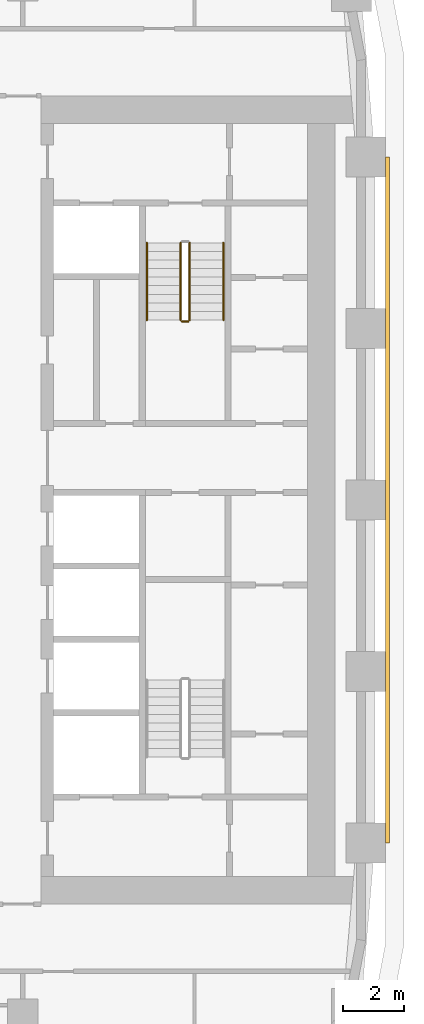
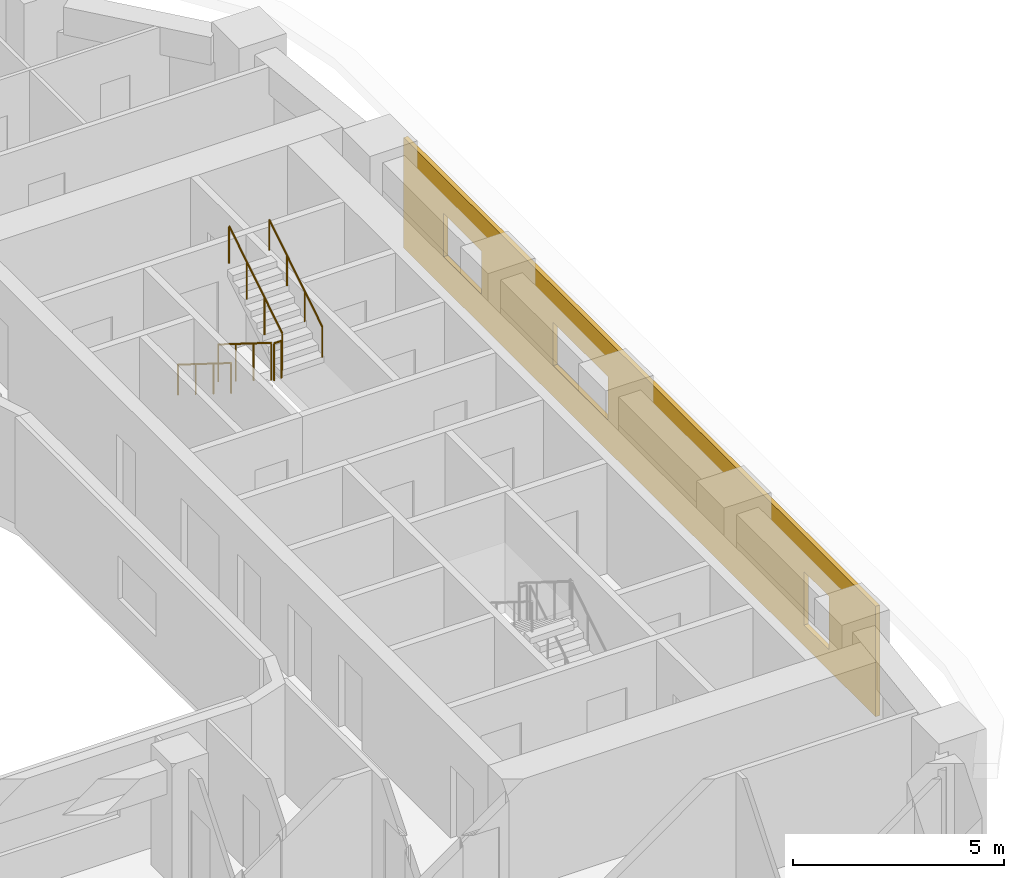
# One storey, part 20 of 23: 5 railings, 1 covering.
"""IFC4 building model written with IfcOpenShell, lengths in metres."""

import ifcopenshell
import ifcopenshell.guid

model = None  # the IFC model being written
_history = None  # IfcOwnerHistory: only IFC2X3 demands one
_inside = {}  # id of a spatial element -> (the spatial element, [elements in it])
_under = {}  # id of a project, library or spatial element -> (it, [spatial elements below it])
_declared = {}  # id of a project -> (the project, [libraries it declares])
_typed = {}  # id of a type object -> (the type object, [elements of that type])
_made_of = {}  # id of a material, layer set ... -> (it, [elements and type objects made of it])


def new_model(schema):
    """Start an empty IFC model of exactly this schema.

    Asked for "IFC4X3", IfcOpenShell would pick the latest addendum, in which some entities
    have other attributes; the version numbers below select the first issue.
    IFC2X3 requires an IfcOwnerHistory on every rooted entity: one is made here for all.
    """
    global model, _history
    if schema == "IFC4X3":
        model = ifcopenshell.file(schema_version=(4, 3, 0, 0))
    else:
        model = ifcopenshell.file(schema=schema)
    _inside.clear()
    _under.clear()
    _declared.clear()
    _typed.clear()
    _made_of.clear()
    _history = None
    if model.schema == "IFC2X3":
        org = make("IfcOrganization", Name="unknown")
        user = make(
            "IfcPersonAndOrganization",
            ThePerson=make("IfcPerson", FamilyName="unknown"),
            TheOrganization=org,
        )
        app = make(
            "IfcApplication",
            ApplicationDeveloper=org,
            Version="unknown",
            ApplicationFullName="unknown",
            ApplicationIdentifier="unknown",
        )
        _history = make(
            "IfcOwnerHistory",
            OwningUser=user,
            OwningApplication=app,
            ChangeAction="ADDED",
            CreationDate=0,
        )
    return model


def make(cls, **values):
    """One entity of the class cls with the attributes given. An attribute that is None is left unset."""
    return model.create_entity(
        cls, **{name: value for name, value in values.items() if value is not None}
    )


def rooted(cls, **values):
    """An entity with a GlobalId (a new one), such as an element, a storey or a relation."""
    return make(cls, GlobalId=ifcopenshell.guid.new(), OwnerHistory=_history, **values)


def si_unit(unit_type, name, prefix=None):
    """IfcSIUnit, for example si_unit("LENGTHUNIT", "METRE", prefix="MILLI")."""
    return make("IfcSIUnit", UnitType=unit_type, Prefix=prefix, Name=name)


def assignment(units):
    """IfcUnitAssignment: the units of a project."""
    return None if units is None else make("IfcUnitAssignment", Units=units)


def point(xyz):
    """IfcCartesianPoint."""
    return None if xyz is None else make("IfcCartesianPoint", Coordinates=xyz)


def direction(xyz):
    """IfcDirection."""
    return None if xyz is None else make("IfcDirection", DirectionRatios=xyz)


def frame(location, z_axis=None, x_axis=None):
    """IfcAxis2Placement3D, a coordinate frame: its origin and axes. An axis left out is left unset."""
    return make(
        "IfcAxis2Placement3D",
        Location=point(location),
        Axis=direction(z_axis),
        RefDirection=direction(x_axis),
    )


def frame_2d(location, x_axis=None):
    """IfcAxis2Placement2D, a coordinate frame in the plane: its origin and x axis."""
    return make(
        "IfcAxis2Placement2D", Location=point(location), RefDirection=direction(x_axis)
    )


def origin():
    """The frame at (0, 0, 0) with its axes left unset."""
    return frame((0.0, 0.0, 0.0))


def origin_2d():
    """The frame at (0, 0) in the plane with its x axis left unset."""
    return frame_2d((0.0, 0.0))


def place(relative_to, where):
    """IfcLocalPlacement: puts the frame where relative to a parent placement (None: the world)."""
    return make(
        "IfcLocalPlacement", PlacementRelTo=relative_to, RelativePlacement=where
    )


def context(
    kind, dimensions, precision=None, world=None, true_north=None, identifier=None
):
    """IfcGeometricRepresentationContext, for example the 3D "Model" context."""
    return make(
        "IfcGeometricRepresentationContext",
        ContextIdentifier=identifier,
        ContextType=kind,
        CoordinateSpaceDimension=dimensions,
        Precision=precision,
        WorldCoordinateSystem=world,
        TrueNorth=true_north,
    )


def subcontext(parent, identifier, kind, view, scale=None):
    """IfcGeometricRepresentationSubContext, for example "Body" below "Model"."""
    return make(
        "IfcGeometricRepresentationSubContext",
        ContextIdentifier=identifier,
        ContextType=kind,
        ParentContext=parent,
        TargetScale=scale,
        TargetView=view,
    )


def project(units=None, contexts=None):
    """IfcProject with its units and contexts."""
    return rooted(
        "IfcProject",
        Name="project",
        RepresentationContexts=contexts,
        UnitsInContext=assignment(units),
    )


def spatial(cls, under=None, at=None, **own):
    """A site, building, storey or space (cls), placed at a placement, below another one or the project."""
    s = rooted(cls, ObjectPlacement=at, **own)
    if under is not None:
        _under.setdefault(under.id(), (under, []))[1].append(s)
    return s


def polyline(points):
    """IfcPolyline through the points."""
    return make("IfcPolyline", Points=[point(p) for p in points])


def profile(cls, at=None, kind="AREA", **sizes):
    """A parametric profile (cls). Its sizes go by their IFC names, for example OverallWidth=200.0."""
    return make(cls, ProfileType=kind, Position=at, **sizes)


def circle(**sizes):
    """IfcCircleProfileDef."""
    return profile("IfcCircleProfileDef", **sizes)


def outline(outer, holes=None, kind="AREA"):
    """IfcArbitraryClosedProfileDef: a profile drawn as a closed curve; with holes, ...WithVoids."""
    if holes is None:
        return make("IfcArbitraryClosedProfileDef", ProfileType=kind, OuterCurve=outer)
    return make(
        "IfcArbitraryProfileDefWithVoids",
        ProfileType=kind,
        OuterCurve=outer,
        InnerCurves=holes,
    )


def extrude(swept, where, along, depth):
    """IfcExtrudedAreaSolid: the profile swept, set in the frame where, extruded along a direction by depth."""
    return make(
        "IfcExtrudedAreaSolid",
        SweptArea=swept,
        Position=where,
        ExtrudedDirection=direction(along),
        Depth=depth,
    )


def shape(context_of_items, identifier, shape_type, items):
    """IfcShapeRepresentation: the items that make up one representation, for example the "Body"."""
    return make(
        "IfcShapeRepresentation",
        ContextOfItems=context_of_items,
        RepresentationIdentifier=identifier,
        RepresentationType=shape_type,
        Items=items,
    )


def material(Name=None, Category=None):
    """IfcMaterial."""
    return make("IfcMaterial", Name=Name, Category=Category)


def layer(
    of_material, thickness, ventilated=None, Name=None, Category=None, Priority=None
):
    """IfcMaterialLayer: one layer of a wall or slab, of a material (None: an air gap)."""
    return make(
        "IfcMaterialLayer",
        Material=of_material,
        LayerThickness=thickness,
        IsVentilated=ventilated,
        Name=Name,
        Category=Category,
        Priority=Priority,
    )


def layer_set(layers, Name=None):
    """IfcMaterialLayerSet."""
    return make("IfcMaterialLayerSet", MaterialLayers=layers, LayerSetName=Name)


def made_of(thing, what):
    """Note that an element or type object is made of a material, layer set ...; save() writes the relation."""
    if what is not None:
        _made_of.setdefault(what.id(), (what, []))[1].append(thing)
    return thing


def type_object(cls, material=None, **own):
    """A type object (cls), such as IfcWallType, which elements share."""
    return made_of(rooted(cls, **own), material)


def element(
    cls,
    number,
    at=None,
    inside=None,
    cuts=None,
    type_object=None,
    material=None,
    context=None,
    identifier="Body",
    shape_type=None,
    held_by="IfcProductDefinitionShape",
    body=None,
    shapes=None,
    **own,
):
    """One element of the class cls, such as IfcWall. Its Tag is "e" and its number.

    at: its placement. inside: the storey or other place that contains it. cuts: it is an
    opening in that element (IfcRelVoidsElement). A single representation is given by context,
    identifier, shape_type and body (its items); several are given by shapes. held_by: the class
    of the entity that holds the representations. save() writes the other relations.
    """
    e = rooted(cls, Tag="e%d" % number, ObjectPlacement=at, **own)
    if body is not None:
        shapes = [shape(context, identifier, shape_type, body)]
    if shapes is not None:
        e.Representation = make(held_by, Representations=shapes)
    if inside is not None:
        _inside.setdefault(inside.id(), (inside, []))[1].append(e)
    if cuts is not None:
        rooted(
            "IfcRelVoidsElement", RelatingBuildingElement=cuts, RelatedOpeningElement=e
        )
    if type_object is not None:
        _typed.setdefault(type_object.id(), (type_object, []))[1].append(e)
    return made_of(e, material)


def aggregate(whole, parts):
    """IfcRelAggregates: a whole, such as a stair, and the parts it consists of."""
    return rooted("IfcRelAggregates", RelatingObject=whole, RelatedObjects=parts)


def save(model, path):
    """Write the relations noted so far, then the file.

    IfcRelAggregates (storeys below a building ...), IfcRelContainedInSpatialStructure (elements
    in a storey), IfcRelDefinesByType, IfcRelAssociatesMaterial and IfcRelDeclares: one each for
    every whole, place, type object, material and project.
    """
    for whole, parts in _under.values():
        aggregate(whole, parts)
    for where, things in _inside.values():
        rooted(
            "IfcRelContainedInSpatialStructure",
            RelatedElements=things,
            RelatingStructure=where,
        )
    for kind, things in _typed.values():
        rooted("IfcRelDefinesByType", RelatedObjects=things, RelatingType=kind)
    for what, things in _made_of.values():
        rooted("IfcRelAssociatesMaterial", RelatedObjects=things, RelatingMaterial=what)
    for by, libraries in _declared.values():
        rooted("IfcRelDeclares", RelatingContext=by, RelatedDefinitions=libraries)
    model.write(path)


model = new_model("IFC4")

# Units and contexts
model_context = context("Model", 3, precision=1e-05, world=origin(), true_north=direction((0.0, 1.0)))
body_context = subcontext(model_context, "Body", "Model", "MODEL_VIEW")
ifc_project = project(units=[si_unit("LENGTHUNIT", "METRE"), si_unit("AREAUNIT", "SQUARE_METRE"), si_unit("VOLUMEUNIT", "CUBIC_METRE"), si_unit("PLANEANGLEUNIT", "RADIAN"), si_unit("MASSUNIT", "GRAM", prefix="KILO")], contexts=[model_context])

# Site, building, storey
site_placement = place(None, origin())
site = spatial("IfcSite", under=ifc_project, at=site_placement, CompositionType="ELEMENT")
building_placement = place(site_placement, origin())
building = spatial("IfcBuilding", under=site, at=building_placement, Name="Kiln Ring Residences", CompositionType="ELEMENT")
storey_placement = place(building_placement, frame((0.0, 0.0, 86.800048828125)))
storey = spatial("IfcBuildingStorey", under=building, at=storey_placement, Name="L21", CompositionType="ELEMENT", Elevation=86.800048828125)

# Railings
ifc_material_1 = material(Name="Stainless steel", Category="steel")
railing_type_1 = type_object("IfcRailingType", Name="CORE-STAIR-GUARD", PredefinedType="GUARDRAIL", material=ifc_material_1)
railing_1_placement = place(storey_placement, frame((21.949951171875, 8.39990234375, 0.175048828125)))
element("IfcRailing", 1, at=railing_1_placement, inside=storey, type_object=railing_type_1, Name="L21 E-STN stair guard 1", PredefinedType="GUARDRAIL", context=body_context, shape_type="SweptSolid", body=[
    extrude(circle(Radius=0.02392578125, at=origin_2d()), frame((0.0, 0.0, 1.076171875), z_axis=(0.0, -0.848007534815, 0.529984170421), x_axis=(1.0, 0.0, 0.0)), (0.0, 0.0, 1.0), 2.9716796875),
    extrude(circle(Radius=0.02099609375, at=origin_2d()), origin(), (0.0, 0.0, 1.0), 1.052001953125),
    extrude(circle(Radius=0.02099609375, at=origin_2d()), frame((0.0, -0.840087890625, 0.52490234375)), (0.0, 0.0, 1.0), 1.052001953125),
    extrude(circle(Radius=0.02099609375, at=origin_2d()), frame((0.0, -1.679931640625, 1.050048828125)), (0.0, 0.0, 1.0), 1.052001953125),
    extrude(circle(Radius=0.02099609375, at=origin_2d()), frame((0.0, -2.52001953125, 1.574951171875)), (0.0, 0.0, 1.0), 1.052001953125),
])
railing_2_placement = place(storey_placement, frame((22.0, 5.830078125, 1.75)))
element("IfcRailing", 2, at=railing_2_placement, inside=storey, type_object=railing_type_1, Name="L21 E-STN stair guard 2", PredefinedType="GUARDRAIL", context=body_context, shape_type="SweptSolid", body=[
    extrude(circle(Radius=0.02392578125, at=origin_2d()), frame((0.0, 0.0, 1.076171875), z_axis=(1.0, 0.0, 0.0), x_axis=(0.0, 1.0, 0.0)), (0.0, 0.0, 1.0), 0.199951171875),
    extrude(circle(Radius=0.02099609375, at=origin_2d()), origin(), (0.0, 0.0, 1.0), 1.052001953125),
    extrude(circle(Radius=0.02099609375, at=origin_2d()), frame((0.199951171875, 0.0, 0.0)), (0.0, 0.0, 1.0), 1.052001953125),
])
railing_3_placement = place(storey_placement, frame((22.25, 5.8798828125, 1.925048828125)))
element("IfcRailing", 3, at=railing_3_placement, inside=storey, type_object=railing_type_1, Name="L21 E-STN stair guard 3", PredefinedType="GUARDRAIL", context=body_context, shape_type="SweptSolid", body=[
    extrude(circle(Radius=0.02392578125, at=origin_2d()), frame((0.0, 0.0, 1.076171875), z_axis=(0.0, 0.848007534815, 0.529984170421), x_axis=(-1.0, 0.0, 0.0)), (0.0, 0.0, 1.0), 2.9716796875),
    extrude(circle(Radius=0.02099609375, at=origin_2d()), origin(), (0.0, 0.0, 1.0), 1.052001953125),
    extrude(circle(Radius=0.02099609375, at=origin_2d()), frame((0.0, 0.840087890625, 0.52490234375)), (0.0, 0.0, 1.0), 1.052001953125),
    extrude(circle(Radius=0.02099609375, at=origin_2d()), frame((0.0, 1.679931640625, 1.050048828125)), (0.0, 0.0, 1.0), 1.052001953125),
    extrude(circle(Radius=0.02099609375, at=origin_2d()), frame((0.0, 2.52001953125, 1.574951171875)), (0.0, 0.0, 1.0), 1.052001953125),
])
ifc_material_2 = material(Name="Stainless steel", Category="steel")
railing_type_2 = type_object("IfcRailingType", Name="CORE-STAIR-HANDRAIL", PredefinedType="HANDRAIL", material=ifc_material_2)
railing_4_placement = place(storey_placement, frame((20.85009765625, 8.39990234375, 0.175048828125)))
element("IfcRailing", 4, at=railing_4_placement, inside=storey, type_object=railing_type_2, Name="L21 E-STN stair handrail 1", PredefinedType="HANDRAIL", context=body_context, shape_type="SweptSolid", body=[
    extrude(circle(Radius=0.02392578125, at=origin_2d()), frame((0.0, 0.0, 0.8759765625), z_axis=(0.0, -0.848007534815, 0.529984170421), x_axis=(1.0, 0.0, 0.0)), (0.0, 0.0, 1.0), 2.9716796875),
    extrude(circle(Radius=0.02099609375, at=origin_2d()), origin(), (0.0, 0.0, 1.0), 0.851806640625),
    extrude(circle(Radius=0.02099609375, at=origin_2d()), frame((0.0, -0.840087890625, 0.52490234375)), (0.0, 0.0, 1.0), 0.851806640625),
    extrude(circle(Radius=0.02099609375, at=origin_2d()), frame((0.0, -1.679931640625, 1.050048828125)), (0.0, 0.0, 1.0), 0.851806640625),
    extrude(circle(Radius=0.02099609375, at=origin_2d()), frame((0.0, -2.52001953125, 1.574951171875)), (0.0, 0.0, 1.0), 0.851806640625),
])
railing_5_placement = place(storey_placement, frame((23.35009765625, 5.8798828125, 1.925048828125)))
element("IfcRailing", 5, at=railing_5_placement, inside=storey, type_object=railing_type_2, Name="L21 E-STN stair handrail 2", PredefinedType="HANDRAIL", context=body_context, shape_type="SweptSolid", body=[
    extrude(circle(Radius=0.02392578125, at=origin_2d()), frame((0.0, 0.0, 0.8759765625), z_axis=(0.0, 0.848007534815, 0.529984170421), x_axis=(-1.0, 0.0, 0.0)), (0.0, 0.0, 1.0), 2.9716796875),
    extrude(circle(Radius=0.02099609375, at=origin_2d()), origin(), (0.0, 0.0, 1.0), 0.851806640625),
    extrude(circle(Radius=0.02099609375, at=origin_2d()), frame((0.0, 0.840087890625, 0.52490234375)), (0.0, 0.0, 1.0), 0.851806640625),
    extrude(circle(Radius=0.02099609375, at=origin_2d()), frame((0.0, 1.679931640625, 1.050048828125)), (0.0, 0.0, 1.0), 0.851806640625),
    extrude(circle(Radius=0.02099609375, at=origin_2d()), frame((0.0, 2.52001953125, 1.574951171875)), (0.0, 0.0, 1.0), 0.851806640625),
])

# Covering
ifc_material_3 = material(Name="Brick masonry, dark clay brick", Category="masonry")
ifc_layer = layer(ifc_material_3, 0.1201171875)
ifc_layer_set = layer_set([ifc_layer], Name="RAINSCREEN PANEL 120")
covering_type = type_object("IfcCoveringType", Name="RAINSCREEN PANEL 120", PredefinedType="CLADDING", material=ifc_layer_set)
covering_placement = place(storey_placement, frame((28.7099609375, -11.199951171875, 0.0), z_axis=(0.0, 0.0, 1.0), x_axis=(0.0, 1.0, 0.0)))
element("IfcCovering", 6, at=covering_placement, inside=storey, type_object=covering_type, Name="RAINSCREEN L21", PredefinedType="CLADDING", context=body_context, shape_type="SweptSolid", body=[
    extrude(outline(polyline([(0.0, 0.0), (22.39990234375, 0.0), (22.39990234375, 3.199951171875), (0.0, 3.199951171875), (0.0, 0.0)]), holes=[polyline([(3.39990234375, 2.14990234375), (2.199951171875, 2.14990234375), (2.199951171875, 0.599853515625), (3.39990234375, 0.599853515625), (3.39990234375, 2.14990234375)]), polyline([(15.300048828125, 0.89990234375), (15.300048828125, 2.14990234375), (12.699951171875, 2.14990234375), (12.699951171875, 0.89990234375), (15.300048828125, 0.89990234375)]), polyline([(20.5, 0.89990234375), (20.5, 2.14990234375), (18.699951171875, 2.14990234375), (18.699951171875, 0.89990234375), (20.5, 0.89990234375)])]), frame((0.0, 0.06005859375, 0.0), z_axis=(0.0, -1.0, 0.0), x_axis=(1.0, 0.0, 0.0)), (0.0, 0.0, 1.0), 0.1201171875),
])

save(model, "model.ifc")
